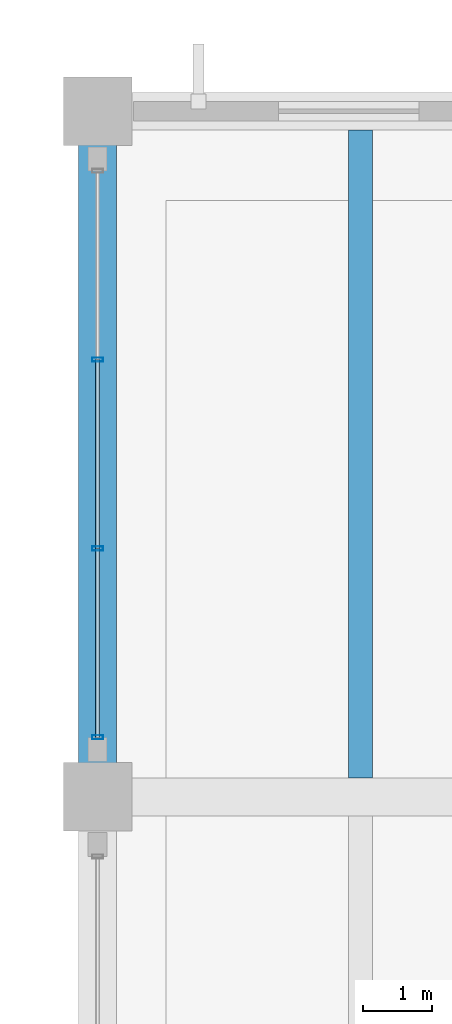
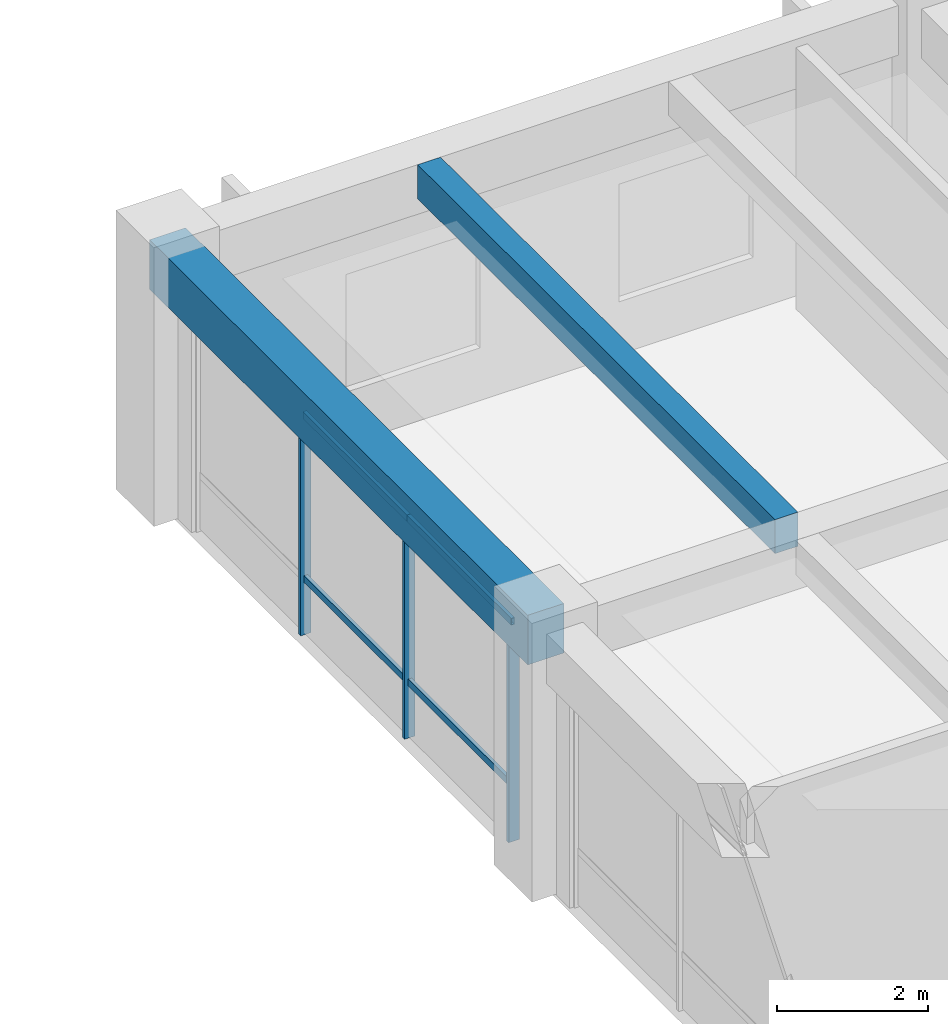
# One storey, part 91 of 154: 7 members, 2 beams, 1 element without a shape of its own.
"""IFC4 building model written with IfcOpenShell, lengths in metres."""

from ifc_helpers import new_model, si_unit, direction, frame, origin, origin_2d, place, context, subcontext, project, spatial, rectangle, hollow_rectangle, extrude, material, material_profile, profile_set, type_object, element, aggregate, save


model = new_model("IFC4")

# Units and contexts
model_context = context("Model", 3, precision=1e-05, world=origin(), true_north=direction((0.0, 1.0)))
body_context = subcontext(model_context, "Body", "Model", "MODEL_VIEW")
ifc_project = project(units=[si_unit("LENGTHUNIT", "METRE"), si_unit("AREAUNIT", "SQUARE_METRE"), si_unit("VOLUMEUNIT", "CUBIC_METRE"), si_unit("PLANEANGLEUNIT", "RADIAN"), si_unit("MASSUNIT", "GRAM", prefix="KILO")], contexts=[model_context])

# Site, building, storey
site_placement = place(None, origin())
site = spatial("IfcSite", under=ifc_project, at=site_placement, CompositionType="ELEMENT")
building_placement = place(site_placement, origin())
building = spatial("IfcBuilding", under=site, at=building_placement, Name="Ologun Quay Terminus", CompositionType="ELEMENT")
storey_placement = place(building_placement, frame((0.0, 0.0, 13.800048828125)))
storey = spatial("IfcBuildingStorey", under=building, at=storey_placement, Name="L03", CompositionType="ELEMENT", Elevation=13.800048828125)

# Curtain wall, members
ifc_material_1 = material(Name="Aluminium 6063-T6", Category="aluminium")
curtain_wall_type = type_object("IfcCurtainWallType", Name="Rain-Garden East Courtyard Curtain Wall L03 9200x4150", PredefinedType="USERDEFINED", material=ifc_material_1)
curtain_wall_placement = place(storey_placement, origin())
curtain_wall = element("IfcCurtainWall", 1, at=curtain_wall_placement, inside=storey, type_object=curtain_wall_type, Name="CW-20 Curtain Wall CW-L03-144", ObjectType="UNITISED CURTAIN WALL", PredefinedType="USERDEFINED")
ifc_material_2 = material(Name="Aluminium 6063-T6", Category="aluminium")
ifc_material_profile_1 = material_profile(ifc_material_2, hollow_rectangle(XDim=0.06005859375, YDim=0.159912109375, WallThickness=0.00390625, at=origin_2d()), Name="ALU 160x60x4")
ifc_profile_set_1 = profile_set([ifc_material_profile_1], Name="Aluminium 6063-T6")
member_type_1 = type_object("IfcMemberType", Name="Courtyard Screen Mullion 160x65", PredefinedType="MULLION", material=ifc_profile_set_1)
member_1_placement = place(storey_placement, frame((115.0, 105.669921875, 0.0), z_axis=(0.0, 0.0, 1.0), x_axis=(0.0, 1.0, 0.0)))
member_1 = element("IfcMember", 2, at=member_1_placement, type_object=member_type_1, Name="CW-L03-144 Mullion 1", PredefinedType="MULLION", context=body_context, shape_type="SweptSolid", body=[
    extrude(hollow_rectangle(XDim=0.06005859375, YDim=0.159912109375, WallThickness=0.00390625, at=origin_2d()), origin(), (0.0, 0.0, 1.0), 4.22998046875),
])
member_2_placement = place(storey_placement, frame((115.0, 108.42333984375, 0.0), z_axis=(0.0, 0.0, 1.0), x_axis=(0.0, 1.0, 0.0)))
member_2 = element("IfcMember", 3, at=member_2_placement, type_object=member_type_1, Name="CW-L03-144 Mullion 2", PredefinedType="MULLION", context=body_context, shape_type="SweptSolid", body=[
    extrude(hollow_rectangle(XDim=0.06005859375, YDim=0.159912109375, WallThickness=0.00390625, at=origin_2d()), origin(), (0.0, 0.0, 1.0), 4.22998046875),
])
member_3_placement = place(storey_placement, frame((115.0, 111.1767578125, 0.0), z_axis=(0.0, 0.0, 1.0), x_axis=(0.0, 1.0, 0.0)))
member_3 = element("IfcMember", 4, at=member_3_placement, type_object=member_type_1, Name="CW-L03-144 Mullion 3", PredefinedType="MULLION", context=body_context, shape_type="SweptSolid", body=[
    extrude(hollow_rectangle(XDim=0.06005859375, YDim=0.159912109375, WallThickness=0.00390625, at=origin_2d()), origin(), (0.0, 0.0, 1.0), 4.22998046875),
])
ifc_material_3 = material(Name="Aluminium 6063-T6", Category="aluminium")
ifc_material_profile_2 = material_profile(ifc_material_3, hollow_rectangle(XDim=0.054931640625, YDim=0.110107421875, WallThickness=0.00390625, at=origin_2d()), Name="ALU 110x55x4")
ifc_profile_set_2 = profile_set([ifc_material_profile_2], Name="Aluminium 6063-T6")
member_type_2 = type_object("IfcMemberType", Name="Courtyard Screen Transom 110x55", PredefinedType="USERDEFINED", material=ifc_profile_set_2)
member_4_placement = place(storey_placement, frame((115.0, 105.669921875, 0.89990234375), z_axis=(0.0, 1.0, 0.0), x_axis=(-1.0, 0.0, 0.0)))
member_4 = element("IfcMember", 5, at=member_4_placement, type_object=member_type_2, Name="CW-L03-144 Transom B1-1", ObjectType="TRANSOM", PredefinedType="USERDEFINED", context=body_context, shape_type="SweptSolid", body=[
    extrude(hollow_rectangle(XDim=0.054931640625, YDim=0.110107421875, WallThickness=0.00390625, at=origin_2d()), origin(), (0.0, 0.0, 1.0), 2.75341796875),
])
member_5_placement = place(storey_placement, frame((115.0, 105.669921875, 3.530029296875), z_axis=(0.0, 1.0, 0.0), x_axis=(-1.0, 0.0, 0.0)))
member_5 = element("IfcMember", 6, at=member_5_placement, type_object=member_type_2, Name="CW-L03-144 Transom B1-2", ObjectType="TRANSOM", PredefinedType="USERDEFINED", context=body_context, shape_type="SweptSolid", body=[
    extrude(hollow_rectangle(XDim=0.054931640625, YDim=0.110107421875, WallThickness=0.00390625, at=origin_2d()), origin(), (0.0, 0.0, 1.0), 2.75341796875),
])
member_6_placement = place(storey_placement, frame((115.0, 108.42333984375, 0.89990234375), z_axis=(0.0, 1.0, 0.0), x_axis=(-1.0, 0.0, 0.0)))
member_6 = element("IfcMember", 7, at=member_6_placement, type_object=member_type_2, Name="CW-L03-144 Transom B2-1", ObjectType="TRANSOM", PredefinedType="USERDEFINED", context=body_context, shape_type="SweptSolid", body=[
    extrude(hollow_rectangle(XDim=0.054931640625, YDim=0.110107421875, WallThickness=0.00390625, at=origin_2d()), origin(), (0.0, 0.0, 1.0), 2.75341796875),
])
member_7_placement = place(storey_placement, frame((115.0, 108.42333984375, 3.530029296875), z_axis=(0.0, 1.0, 0.0), x_axis=(-1.0, 0.0, 0.0)))
member_7 = element("IfcMember", 8, at=member_7_placement, type_object=member_type_2, Name="CW-L03-144 Transom B2-2", ObjectType="TRANSOM", PredefinedType="USERDEFINED", context=body_context, shape_type="SweptSolid", body=[
    extrude(hollow_rectangle(XDim=0.054931640625, YDim=0.110107421875, WallThickness=0.00390625, at=origin_2d()), origin(), (0.0, 0.0, 1.0), 2.75341796875),
])
aggregate(curtain_wall, [member_1, member_2, member_3, member_4, member_5, member_6, member_7])

# Beams
ifc_material_4 = material(Name="Concrete C40/50", Category="concrete")
ifc_material_profile_3 = material_profile(ifc_material_4, rectangle(XDim=0.550048828125, YDim=0.800048828125, at=origin_2d()), Name="RC 550x800")
ifc_profile_set_3 = profile_set([ifc_material_profile_3], Name="Concrete C40/50")
beam_type_1 = type_object("IfcBeamType", Name="Courtyard Wing Primary Girder 550x800", PredefinedType="BEAM", material=ifc_profile_set_3)
beam_1_placement = place(storey_placement, frame((115.0, 104.800048828125, 3.849853515625), z_axis=(0.0, 1.0, 0.0), x_axis=(-1.0, 0.0, 0.0)))
element("IfcBeam", 9, at=beam_1_placement, inside=storey, type_object=beam_type_1, Name="B4 Beam 11/J L03", PredefinedType="BEAM", context=body_context, shape_type="SweptSolid", body=[
    extrude(rectangle(XDim=0.550048828125, YDim=0.800048828125, at=origin_2d()), origin(), (0.0, 0.0, 1.0), 10.0),
])
ifc_material_5 = material(Name="Concrete C40/50", Category="concrete")
ifc_material_profile_4 = material_profile(ifc_material_5, rectangle(XDim=0.35009765625, YDim=0.550048828125, at=origin_2d()), Name="RC 350x550")
ifc_profile_set_4 = profile_set([ifc_material_profile_4], Name="Concrete C40/50")
beam_type_2 = type_object("IfcBeamType", Name="Courtyard Wing Secondary Joist 350x550", PredefinedType="JOIST", material=ifc_profile_set_4)
beam_2_placement = place(storey_placement, frame((118.833251953125, 105.074951171875, 3.974853515625), z_axis=(0.0, 1.0, 0.0), x_axis=(-1.0, 0.0, 0.0)))
element("IfcBeam", 10, at=beam_2_placement, inside=storey, type_object=beam_type_2, Name="J2 Beam 11/J L03", PredefinedType="JOIST", context=body_context, shape_type="SweptSolid", body=[
    extrude(rectangle(XDim=0.35009765625, YDim=0.550048828125, at=origin_2d()), origin(), (0.0, 0.0, 1.0), 9.449951171875),
])

save(model, "model.ifc")
